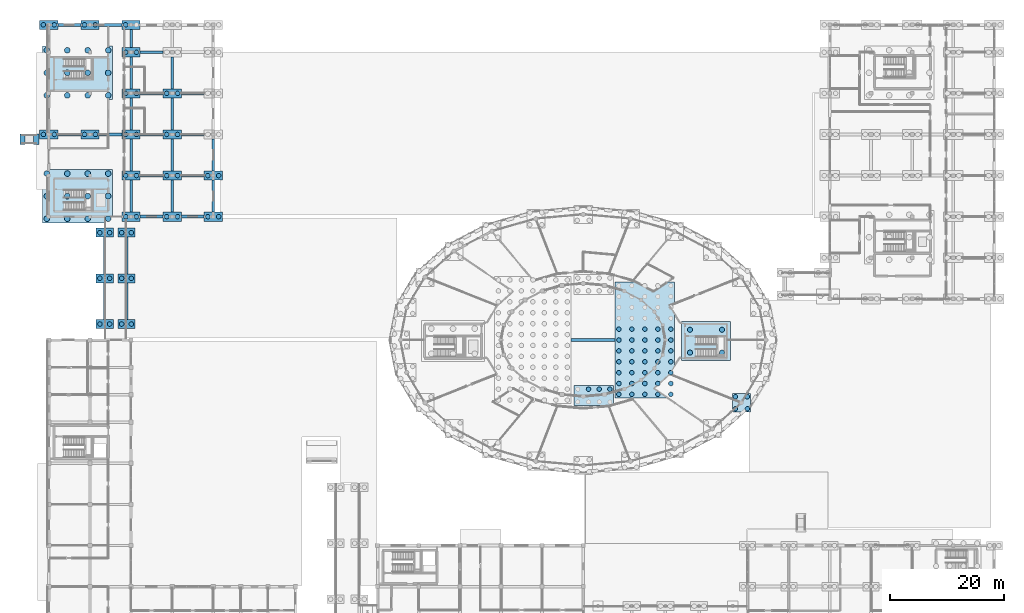
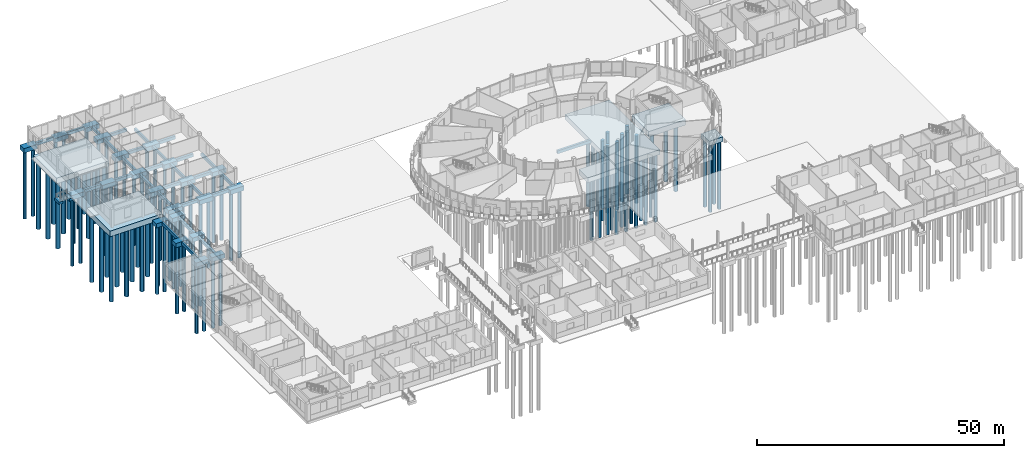
# One storey, part 2 of 98: 113 piles, 59 footings.
"""IFC4 building model written with IfcOpenShell, lengths in metres."""

from ifc_helpers import new_model, si_unit, direction, frame, origin, origin_2d, place, context, subcontext, project, spatial, rectangle, circle, extrude, material, material_profile, profile_set, type_object, element, save


model = new_model("IFC4")

# Units and contexts
model_context = context("Model", 3, precision=1e-05, world=origin(), true_north=direction((0.0, 1.0)))
body_context = subcontext(model_context, "Body", "Model", "MODEL_VIEW")
ifc_project = project(units=[si_unit("LENGTHUNIT", "METRE"), si_unit("AREAUNIT", "SQUARE_METRE"), si_unit("VOLUMEUNIT", "CUBIC_METRE"), si_unit("PLANEANGLEUNIT", "RADIAN"), si_unit("MASSUNIT", "GRAM", prefix="KILO")], contexts=[model_context])

# Site, building, storey
site_placement = place(None, origin())
site = spatial("IfcSite", under=ifc_project, at=site_placement, CompositionType="ELEMENT")
building_placement = place(site_placement, origin())
building = spatial("IfcBuilding", under=site, at=building_placement, Name="Zornivar Specialist Clinic", CompositionType="ELEMENT")
storey_placement = place(building_placement, origin())
storey = spatial("IfcBuildingStorey", under=building, at=storey_placement, Name="L00", CompositionType="ELEMENT", Elevation=0.0)

# Footings
ifc_material_1 = material(Name="Concrete C30/37", Category="concrete")
ifc_material_profile_1 = material_profile(ifc_material_1, rectangle(XDim=0.449951171875, YDim=0.699951171875, at=origin_2d()), Name="RC 450x700")
ifc_profile_set_1 = profile_set([ifc_material_profile_1], Name="Concrete C30/37")
footing_type_1 = type_object("IfcFootingType", Name="FTG-GB-450x700", PredefinedType="FOOTING_BEAM", material=ifc_profile_set_1)
for number, where, z_axis, x_axis, name in (
    (1, (9.800048828125, 61.175048828125, -0.699951171875), (0.0, 1.0, 0.0), (-1.0, 0.0, 0.0), "gb:L00:y:98:612"),
    (2, (9.800048828125, 69.175048828125, -0.699951171875), (0.0, 1.0, 0.0), (-1.0, 0.0, 0.0), "gb:L00:y:98:692"),
    (3, (13.60009765625, 61.175048828125, -0.699951171875), (0.0, 1.0, 0.0), (-1.0, 0.0, 0.0), "gb:L00:y:136:612"),
    (4, (13.60009765625, 69.175048828125, -0.699951171875), (0.0, 1.0, 0.0), (-1.0, 0.0, 0.0), "gb:L00:y:136:692"),
):
    element("IfcFooting", number, at=place(storey_placement, frame(where, z_axis=z_axis, x_axis=x_axis)), inside=storey, type_object=footing_type_1, Name=name, PredefinedType="FOOTING_BEAM", context=body_context, shape_type="SweptSolid", body=[
        extrude(rectangle(XDim=0.449951171875, YDim=0.699951171875, at=origin_2d()), origin(), (0.0, 0.0, 1.0), 6.449951171875),
    ])
for number, where, z_axis, x_axis, name in (
    (5, (14.39990234375, 80.0, -0.72998046875), (0.0, 1.0, 0.0), (-1.0, 0.0, 0.0), "gb:L00:y:144:800"),
    (6, (14.39990234375, 87.199951171875, -0.72998046875), (0.0, 1.0, 0.0), (-1.0, 0.0, 0.0), "gb:L00:y:144:872"),
    (7, (14.39990234375, 94.39990234375, -0.72998046875), (0.0, 1.0, 0.0), (-1.0, 0.0, 0.0), "gb:L00:y:144:944"),
):
    element("IfcFooting", number, at=place(storey_placement, frame(where, z_axis=z_axis, x_axis=x_axis)), inside=storey, type_object=footing_type_1, Name=name, PredefinedType="FOOTING_BEAM", context=body_context, shape_type="SweptSolid", body=[
        extrude(rectangle(XDim=0.449951171875, YDim=0.699951171875, at=origin_2d()), origin(), (0.0, 0.0, 1.0), 5.60009765625),
    ])
footing_1_placement = place(storey_placement, frame((14.39990234375, 101.60009765625, -0.72998046875), z_axis=(0.0, 1.0, 0.0), x_axis=(-1.0, 0.0, 0.0)))
element("IfcFooting", 8, at=footing_1_placement, inside=storey, type_object=footing_type_1, Name="gb:L00:y:144:1016", PredefinedType="FOOTING_BEAM", context=body_context, shape_type="SweptSolid", body=[
    extrude(rectangle(XDim=0.449951171875, YDim=0.699951171875, at=origin_2d()), origin(), (0.0, 0.0, 1.0), 5.599853515625),
])
footing_2_placement = place(storey_placement, frame((14.39990234375, 108.800048828125, -0.72998046875), z_axis=(0.0, 1.0, 0.0), x_axis=(-1.0, 0.0, 0.0)))
element("IfcFooting", 9, at=footing_2_placement, inside=storey, type_object=footing_type_1, Name="gb:L00:y:144:1088", PredefinedType="FOOTING_BEAM", context=body_context, shape_type="SweptSolid", body=[
    extrude(rectangle(XDim=0.449951171875, YDim=0.699951171875, at=origin_2d()), origin(), (0.0, 0.0, 1.0), 3.199951171875),
])
for number, where, z_axis, x_axis, name in (
    (10, (21.60009765625, 80.0, -0.72998046875), (0.0, 1.0, 0.0), (-1.0, 0.0, 0.0), "gb:L00:y:216:800"),
    (11, (21.60009765625, 87.199951171875, -0.72998046875), (0.0, 1.0, 0.0), (-1.0, 0.0, 0.0), "gb:L00:y:216:872"),
    (12, (21.60009765625, 94.39990234375, -0.72998046875), (0.0, 1.0, 0.0), (-1.0, 0.0, 0.0), "gb:L00:y:216:944"),
):
    element("IfcFooting", number, at=place(storey_placement, frame(where, z_axis=z_axis, x_axis=x_axis)), inside=storey, type_object=footing_type_1, Name=name, PredefinedType="FOOTING_BEAM", context=body_context, shape_type="SweptSolid", body=[
        extrude(rectangle(XDim=0.449951171875, YDim=0.699951171875, at=origin_2d()), origin(), (0.0, 0.0, 1.0), 5.60009765625),
    ])
footing_3_placement = place(storey_placement, frame((21.60009765625, 101.60009765625, -0.72998046875), z_axis=(0.0, 1.0, 0.0), x_axis=(-1.0, 0.0, 0.0)))
element("IfcFooting", 13, at=footing_3_placement, inside=storey, type_object=footing_type_1, Name="gb:L00:y:216:1016", PredefinedType="FOOTING_BEAM", context=body_context, shape_type="SweptSolid", body=[
    extrude(rectangle(XDim=0.449951171875, YDim=0.699951171875, at=origin_2d()), origin(), (0.0, 0.0, 1.0), 5.599853515625),
])
for number, where, z_axis, x_axis, name in (
    (14, (28.800048828125, 80.0, -0.72998046875), (0.0, 1.0, 0.0), (-1.0, 0.0, 0.0), "gb:L00:y:288:800"),
    (15, (28.800048828125, 87.199951171875, -0.72998046875), (0.0, 1.0, 0.0), (-1.0, 0.0, 0.0), "gb:L00:y:288:872"),
):
    element("IfcFooting", number, at=place(storey_placement, frame(where, z_axis=z_axis, x_axis=x_axis)), inside=storey, type_object=footing_type_1, Name=name, PredefinedType="FOOTING_BEAM", context=body_context, shape_type="SweptSolid", body=[
        extrude(rectangle(XDim=0.449951171875, YDim=0.699951171875, at=origin_2d()), origin(), (0.0, 0.0, 1.0), 5.60009765625),
    ])
ifc_material_2 = material(Name="Concrete C30/37", Category="concrete")
ifc_material_profile_2 = material_profile(ifc_material_2, rectangle(XDim=0.5, YDim=0.75, at=origin_2d()), Name="RC 500x750")
ifc_profile_set_2 = profile_set([ifc_material_profile_2], Name="Concrete C30/37")
footing_type_2 = type_object("IfcFootingType", Name="FTG-GB-500x750", PredefinedType="FOOTING_BEAM", material=ifc_profile_set_2)
footing_4_placement = place(storey_placement, frame((91.471923828125, 57.60009765625, -0.7548828125), z_axis=(1.0, 0.0, 0.0), x_axis=(0.0, 1.0, 0.0)))
element("IfcFooting", 16, at=footing_4_placement, inside=storey, type_object=footing_type_2, Name="gb:L00:x:576:915", PredefinedType="FOOTING_BEAM", context=body_context, shape_type="SweptSolid", body=[
    extrude(rectangle(XDim=0.5, YDim=0.75, at=origin_2d()), origin(), (0.0, 0.0, 1.0), 7.72802734375),
])
ifc_material_3 = material(Name="Concrete C30/37", Category="concrete")
ifc_material_profile_3 = material_profile(ifc_material_3, rectangle(XDim=0.52001953125, YDim=0.75, at=origin_2d()), Name="RC 520x750")
ifc_profile_set_3 = profile_set([ifc_material_profile_3], Name="Concrete C30/37")
footing_type_3 = type_object("IfcFootingType", Name="FTG-GB-520x750", PredefinedType="FOOTING_BEAM", material=ifc_profile_set_3)
for number, where, z_axis, x_axis, name in (
    (17, (16.0, 79.199951171875, -0.7548828125), (1.0, 0.0, 0.0), (0.0, 1.0, 0.0), "gb:L00:x:792:160"),
    (18, (23.199951171875, 79.199951171875, -0.7548828125), (1.0, 0.0, 0.0), (0.0, 1.0, 0.0), "gb:L00:x:792:232"),
    (19, (16.0, 86.39990234375, -0.7548828125), (1.0, 0.0, 0.0), (0.0, 1.0, 0.0), "gb:L00:x:864:160"),
    (20, (23.199951171875, 86.39990234375, -0.7548828125), (1.0, 0.0, 0.0), (0.0, 1.0, 0.0), "gb:L00:x:864:232"),
    (21, (1.60009765625, 93.60009765625, -0.7548828125), (1.0, 0.0, 0.0), (0.0, 1.0, 0.0), "gb:L00:x:936:16"),
    (22, (8.800048828125, 93.60009765625, -0.7548828125), (1.0, 0.0, 0.0), (0.0, 1.0, 0.0), "gb:L00:x:936:88"),
    (23, (16.0, 93.60009765625, -0.7548828125), (1.0, 0.0, 0.0), (0.0, 1.0, 0.0), "gb:L00:x:936:160"),
    (24, (23.199951171875, 93.60009765625, -0.7548828125), (1.0, 0.0, 0.0), (0.0, 1.0, 0.0), "gb:L00:x:936:232"),
    (25, (16.0, 100.800048828125, -0.7548828125), (1.0, 0.0, 0.0), (0.0, 1.0, 0.0), "gb:L00:x:1008:160"),
    (26, (23.199951171875, 100.800048828125, -0.7548828125), (1.0, 0.0, 0.0), (0.0, 1.0, 0.0), "gb:L00:x:1008:232"),
    (27, (16.0, 108.0, -0.7548828125), (1.0, 0.0, 0.0), (0.0, 1.0, 0.0), "gb:L00:x:1080:160"),
    (28, (1.60009765625, 112.800048828125, -0.7548828125), (1.0, 0.0, 0.0), (0.0, 1.0, 0.0), "gb:L00:x:1128:16"),
    (29, (8.800048828125, 112.800048828125, -0.7548828125), (1.0, 0.0, 0.0), (0.0, 1.0, 0.0), "gb:L00:x:1128:88"),
):
    element("IfcFooting", number, at=place(storey_placement, frame(where, z_axis=z_axis, x_axis=x_axis)), inside=storey, type_object=footing_type_3, Name=name, PredefinedType="FOOTING_BEAM", context=body_context, shape_type="SweptSolid", body=[
        extrude(rectangle(XDim=0.52001953125, YDim=0.75, at=origin_2d()), origin(), (0.0, 0.0, 1.0), 4.0),
    ])
ifc_material_4 = material(Name="Concrete C30/37", Category="concrete")
footing_type_4 = type_object("IfcFootingType", Name="FTG-PC-2P-300x155x105", PredefinedType="PILE_CAP", material=ifc_material_4)
for number, where, z_axis, x_axis, name in (
    (30, (9.800048828125, 60.39990234375, -1.39990234375), (0.0, 0.0, 1.0), (1.0, 0.0, 0.0), "ftg:BR2:9800_60400"),
    (31, (9.800048828125, 68.39990234375, -1.39990234375), (0.0, 0.0, 1.0), (1.0, 0.0, 0.0), "ftg:BR2:9800_68400"),
    (32, (9.800048828125, 76.39990234375, -1.39990234375), (0.0, 0.0, 1.0), (1.0, 0.0, 0.0), "ftg:BR2:9800_76400"),
    (33, (13.60009765625, 60.39990234375, -1.39990234375), (0.0, 0.0, 1.0), (1.0, 0.0, 0.0), "ftg:BR2:13600_60400"),
    (34, (13.60009765625, 68.39990234375, -1.39990234375), (0.0, 0.0, 1.0), (1.0, 0.0, 0.0), "ftg:BR2:13600_68400"),
    (35, (13.60009765625, 76.39990234375, -1.39990234375), (0.0, 0.0, 1.0), (1.0, 0.0, 0.0), "ftg:BR2:13600_76400"),
):
    element("IfcFooting", number, at=place(storey_placement, frame(where, z_axis=z_axis, x_axis=x_axis)), inside=storey, type_object=footing_type_4, Name=name, PredefinedType="PILE_CAP", context=body_context, shape_type="SweptSolid", body=[
        extrude(rectangle(XDim=3.0, YDim=1.550048828125, at=origin_2d()), origin(), (0.0, 0.0, 1.0), 1.050048828125),
    ])
ifc_material_5 = material(Name="Concrete C30/37", Category="concrete")
footing_type_5 = type_object("IfcFootingType", Name="FTG-PC-2P-320x160x110", PredefinedType="PILE_CAP", material=ifc_material_5)
for number, where, z_axis, x_axis, name in (
    (36, (0.0, 93.60009765625, -1.47998046875), (0.0, 0.0, 1.0), (1.0, 0.0, 0.0), "ftg:V5:0_93600"),
    (37, (0.0, 112.800048828125, -1.47998046875), (0.0, 0.0, 1.0), (1.0, 0.0, 0.0), "ftg:V5:0_112800"),
    (38, (7.199951171875, 93.60009765625, -1.47998046875), (0.0, 0.0, 1.0), (1.0, 0.0, 0.0), "ftg:V5:7200_93600"),
    (39, (7.199951171875, 112.800048828125, -1.47998046875), (0.0, 0.0, 1.0), (1.0, 0.0, 0.0), "ftg:V5:7200_112800"),
    (40, (14.39990234375, 79.199951171875, -1.47998046875), (0.0, 0.0, 1.0), (1.0, 0.0, 0.0), "ftg:V5:14400_79200"),
    (41, (14.39990234375, 86.39990234375, -1.47998046875), (0.0, 0.0, 1.0), (1.0, 0.0, 0.0), "ftg:V5:14400_86400"),
    (42, (14.39990234375, 93.60009765625, -1.47998046875), (0.0, 0.0, 1.0), (1.0, 0.0, 0.0), "ftg:V5:14400_93600"),
    (43, (14.39990234375, 100.800048828125, -1.47998046875), (0.0, 0.0, 1.0), (1.0, 0.0, 0.0), "ftg:V5:14400_100800"),
    (44, (14.39990234375, 108.0, -1.47998046875), (0.0, 0.0, 1.0), (1.0, 0.0, 0.0), "ftg:V5:14400_108000"),
    (45, (14.39990234375, 112.800048828125, -1.47998046875), (0.0, 0.0, 1.0), (1.0, 0.0, 0.0), "ftg:V5:14400_112800"),
    (46, (21.60009765625, 79.199951171875, -1.47998046875), (0.0, 0.0, 1.0), (1.0, 0.0, 0.0), "ftg:V5:21600_79200"),
    (47, (21.60009765625, 86.39990234375, -1.47998046875), (0.0, 0.0, 1.0), (1.0, 0.0, 0.0), "ftg:V5:21600_86400"),
    (48, (21.60009765625, 93.60009765625, -1.47998046875), (0.0, 0.0, 1.0), (1.0, 0.0, 0.0), "ftg:V5:21600_93600"),
    (49, (21.60009765625, 100.800048828125, -1.47998046875), (0.0, 0.0, 1.0), (1.0, 0.0, 0.0), "ftg:V5:21600_100800"),
    (50, (28.800048828125, 79.199951171875, -1.47998046875), (0.0, 0.0, 1.0), (1.0, 0.0, 0.0), "ftg:V5:28800_79200"),
    (51, (28.800048828125, 86.39990234375, -1.47998046875), (0.0, 0.0, 1.0), (1.0, 0.0, 0.0), "ftg:V5:28800_86400"),
):
    element("IfcFooting", number, at=place(storey_placement, frame(where, z_axis=z_axis, x_axis=x_axis)), inside=storey, type_object=footing_type_5, Name=name, PredefinedType="PILE_CAP", context=body_context, shape_type="SweptSolid", body=[
        extrude(rectangle(XDim=3.199951171875, YDim=1.60009765625, at=origin_2d()), origin(), (0.0, 0.0, 1.0), 1.10009765625),
    ])
ifc_material_6 = material(Name="Concrete C30/37", Category="concrete")
footing_type_6 = type_object("IfcFootingType", Name="FTG-PC-4P-320x320x120", PredefinedType="PILE_CAP", material=ifc_material_6)
footing_5_placement = place(storey_placement, frame((121.31298828125, 46.60009765625, -1.580078125), z_axis=(0.0, 0.0, 1.0), x_axis=(1.0, 0.0, 0.0)))
element("IfcFooting", 52, at=footing_5_placement, inside=storey, type_object=footing_type_6, Name="ftg:V1:121313_46600", PredefinedType="PILE_CAP", context=body_context, shape_type="SweptSolid", body=[
    extrude(rectangle(XDim=3.199951171875, YDim=3.199951171875, at=origin_2d()), origin(), (0.0, 0.0, 1.0), 1.199951171875),
])
ifc_material_7 = material(Name="Concrete C30/37", Category="concrete")
footing_type_7 = type_object("IfcFootingType", Name="FTG-PC-COMB-1040x2035x120", PredefinedType="PILE_CAP", material=ifc_material_7)
footing_6_placement = place(storey_placement, frame((104.39990234375, 57.60009765625, -1.580078125), z_axis=(0.0, 0.0, 1.0), x_axis=(1.0, 0.0, 0.0)))
element("IfcFooting", 53, at=footing_6_placement, inside=storey, type_object=footing_type_7, Name="ftg:V1:108000_57600", PredefinedType="PILE_CAP", context=body_context, shape_type="SweptSolid", body=[
    extrude(rectangle(XDim=10.39990234375, YDim=20.347900390625, at=origin_2d()), origin(), (0.0, 0.0, 1.0), 1.199951171875),
])
ifc_material_8 = material(Name="Concrete C30/37", Category="concrete")
footing_type_8 = type_object("IfcFootingType", Name="FTG-PC-COMB-1225x940x140", PredefinedType="PILE_CAP", material=ifc_material_8)
for number, where, z_axis, x_axis, name in (
    (54, (5.02490234375, 82.800048828125, -1.75), (0.0, 0.0, 1.0), (1.0, 0.0, 0.0), "ftg:core:C7"),
    (55, (5.02490234375, 104.39990234375, -1.75), (0.0, 0.0, 1.0), (1.0, 0.0, 0.0), "ftg:core:C8"),
):
    element("IfcFooting", number, at=place(storey_placement, frame(where, z_axis=z_axis, x_axis=x_axis)), inside=storey, type_object=footing_type_8, Name=name, PredefinedType="PILE_CAP", context=body_context, shape_type="SweptSolid", body=[
        extrude(rectangle(XDim=12.25, YDim=9.39990234375, at=origin_2d()), origin(), (0.0, 0.0, 1.0), 1.39990234375),
    ])
ifc_material_9 = material(Name="Concrete C30/37", Category="concrete")
footing_type_9 = type_object("IfcFootingType", Name="FTG-PC-COMB-693x354x120", PredefinedType="PILE_CAP", material=ifc_material_9)
footing_7_placement = place(storey_placement, frame((95.464111328125, 47.867919921875, -1.580078125), z_axis=(0.0, 0.0, 1.0), x_axis=(1.0, 0.0, 0.0)))
element("IfcFooting", 56, at=footing_7_placement, inside=storey, type_object=footing_type_9, Name="ftg:V1:93600_47700", PredefinedType="PILE_CAP", context=body_context, shape_type="SweptSolid", body=[
    extrude(rectangle(XDim=6.927001953125, YDim=3.537109375, at=origin_2d()), origin(), (0.0, 0.0, 1.0), 1.199951171875),
])
ifc_material_10 = material(Name="Concrete C30/37", Category="concrete")
footing_type_10 = type_object("IfcFootingType", Name="FTG-PC-CORE-860x680x135", PredefinedType="PILE_CAP", material=ifc_material_10)
footing_8_placement = place(storey_placement, frame((115.10009765625, 57.39990234375, -1.699951171875), z_axis=(0.0, 0.0, 1.0), x_axis=(1.0, 0.0, 0.0)))
element("IfcFooting", 57, at=footing_8_placement, inside=storey, type_object=footing_type_10, Name="ftg:core:C4", PredefinedType="PILE_CAP", context=body_context, shape_type="SweptSolid", body=[
    extrude(rectangle(XDim=8.60009765625, YDim=6.800048828125, at=origin_2d()), origin(), (0.0, 0.0, 1.0), 1.35009765625),
])
ifc_material_11 = material(Name="Concrete C30/37", Category="concrete")
ifc_material_profile_4 = material_profile(ifc_material_11, rectangle(XDim=0.89990234375, YDim=0.60009765625, at=origin_2d()), Name="RC 900x600")
ifc_profile_set_4 = profile_set([ifc_material_profile_4], Name="Concrete C30/37")
footing_type_11 = type_object("IfcFootingType", Name="FTG-STRIP-900x600", PredefinedType="STRIP_FOOTING", material=ifc_profile_set_4)
for number, where, z_axis, x_axis, name in (
    (58, (-4.60009765625, 91.85009765625, -0.47998046875), (0.0, 1.0, 0.0), (-1.0, 0.0, 0.0), "ftg:ramp:ped:L00:PR4:lo"),
    (59, (-2.199951171875, 91.85009765625, -0.4990234375), (0.0, 1.0, 0.0), (-1.0, 0.0, 0.0), "ftg:ramp:ped:L00:PR4:hi"),
):
    element("IfcFooting", number, at=place(storey_placement, frame(where, z_axis=z_axis, x_axis=x_axis)), inside=storey, type_object=footing_type_11, Name=name, PredefinedType="STRIP_FOOTING", context=body_context, shape_type="SweptSolid", body=[
        extrude(rectangle(XDim=0.89990234375, YDim=0.60009765625, at=origin_2d()), origin(), (0.0, 0.0, 1.0), 1.7998046875),
    ])

# Piles
ifc_material_12 = material(Name="Concrete C30/37", Category="concrete")
ifc_material_profile_5 = material_profile(ifc_material_12, circle(Radius=0.5, at=origin_2d()), Name="PILE D1000")
ifc_profile_set_5 = profile_set([ifc_material_profile_5], Name="Concrete C30/37")
pile_type_1 = type_object("IfcPileType", Name="PILE-BORED-1000", PredefinedType="BORED", material=ifc_profile_set_5)
for number, where, z_axis, x_axis, name in (
    (60, (-0.35009765625, 78.85009765625, -1.64990234375), (0.0, 0.0, -1.0), (1.0, 0.0, 0.0), "pile:ftg:core:C7:0"),
    (61, (-0.35009765625, 82.800048828125, -1.64990234375), (0.0, 0.0, -1.0), (1.0, 0.0, 0.0), "pile:ftg:core:C7:1"),
    (62, (-0.35009765625, 86.75, -1.64990234375), (0.0, 0.0, -1.0), (1.0, 0.0, 0.0), "pile:ftg:core:C7:2"),
    (63, (3.23291015625, 78.85009765625, -1.64990234375), (0.0, 0.0, -1.0), (1.0, 0.0, 0.0), "pile:ftg:core:C7:3"),
    (64, (3.23291015625, 82.800048828125, -1.64990234375), (0.0, 0.0, -1.0), (1.0, 0.0, 0.0), "pile:ftg:core:C7:4"),
    (65, (3.23291015625, 86.75, -1.64990234375), (0.0, 0.0, -1.0), (1.0, 0.0, 0.0), "pile:ftg:core:C7:5"),
    (66, (6.81689453125, 78.85009765625, -1.64990234375), (0.0, 0.0, -1.0), (1.0, 0.0, 0.0), "pile:ftg:core:C7:6"),
    (67, (6.81689453125, 82.800048828125, -1.64990234375), (0.0, 0.0, -1.0), (1.0, 0.0, 0.0), "pile:ftg:core:C7:7"),
    (68, (6.81689453125, 86.75, -1.64990234375), (0.0, 0.0, -1.0), (1.0, 0.0, 0.0), "pile:ftg:core:C7:8"),
    (69, (10.39990234375, 78.85009765625, -1.64990234375), (0.0, 0.0, -1.0), (1.0, 0.0, 0.0), "pile:ftg:core:C7:9"),
    (70, (10.39990234375, 82.800048828125, -1.64990234375), (0.0, 0.0, -1.0), (1.0, 0.0, 0.0), "pile:ftg:core:C7:10"),
    (71, (10.39990234375, 86.75, -1.64990234375), (0.0, 0.0, -1.0), (1.0, 0.0, 0.0), "pile:ftg:core:C7:11"),
    (72, (-0.35009765625, 100.449951171875, -1.64990234375), (0.0, 0.0, -1.0), (1.0, 0.0, 0.0), "pile:ftg:core:C8:0"),
    (73, (-0.35009765625, 104.39990234375, -1.64990234375), (0.0, 0.0, -1.0), (1.0, 0.0, 0.0), "pile:ftg:core:C8:1"),
    (74, (-0.35009765625, 108.35009765625, -1.64990234375), (0.0, 0.0, -1.0), (1.0, 0.0, 0.0), "pile:ftg:core:C8:2"),
    (75, (3.23291015625, 100.449951171875, -1.64990234375), (0.0, 0.0, -1.0), (1.0, 0.0, 0.0), "pile:ftg:core:C8:3"),
    (76, (3.23291015625, 104.39990234375, -1.64990234375), (0.0, 0.0, -1.0), (1.0, 0.0, 0.0), "pile:ftg:core:C8:4"),
    (77, (3.23291015625, 108.35009765625, -1.64990234375), (0.0, 0.0, -1.0), (1.0, 0.0, 0.0), "pile:ftg:core:C8:5"),
    (78, (6.81689453125, 100.449951171875, -1.64990234375), (0.0, 0.0, -1.0), (1.0, 0.0, 0.0), "pile:ftg:core:C8:6"),
    (79, (6.81689453125, 104.39990234375, -1.64990234375), (0.0, 0.0, -1.0), (1.0, 0.0, 0.0), "pile:ftg:core:C8:7"),
    (80, (6.81689453125, 108.35009765625, -1.64990234375), (0.0, 0.0, -1.0), (1.0, 0.0, 0.0), "pile:ftg:core:C8:8"),
    (81, (10.39990234375, 100.449951171875, -1.64990234375), (0.0, 0.0, -1.0), (1.0, 0.0, 0.0), "pile:ftg:core:C8:9"),
    (82, (10.39990234375, 104.39990234375, -1.64990234375), (0.0, 0.0, -1.0), (1.0, 0.0, 0.0), "pile:ftg:core:C8:10"),
    (83, (10.39990234375, 108.35009765625, -1.64990234375), (0.0, 0.0, -1.0), (1.0, 0.0, 0.0), "pile:ftg:core:C8:11"),
):
    element("IfcPile", number, at=place(storey_placement, frame(where, z_axis=z_axis, x_axis=x_axis)), inside=storey, type_object=pile_type_1, Name=name, PredefinedType="BORED", context=body_context, shape_type="SweptSolid", body=[
        extrude(circle(Radius=0.5, at=origin_2d()), origin(), (0.0, 0.0, 1.0), 16.550048828125),
    ])
ifc_material_13 = material(Name="Concrete C30/37", Category="concrete")
ifc_material_profile_6 = material_profile(ifc_material_13, circle(Radius=0.39990234375, at=origin_2d()), Name="PILE D800")
ifc_profile_set_6 = profile_set([ifc_material_profile_6], Name="Concrete C30/37")
pile_type_2 = type_object("IfcPileType", Name="PILE-BORED-800", PredefinedType="BORED", material=ifc_profile_set_6)
for number, where, z_axis, x_axis, name in (
    (84, (-0.949951171875, 93.60009765625, -1.3798828125), (0.0, 0.0, -1.0), (1.0, 0.0, 0.0), "pile:ftg:V5:0_93600:0"),
    (85, (0.949951171875, 93.60009765625, -1.3798828125), (0.0, 0.0, -1.0), (1.0, 0.0, 0.0), "pile:ftg:V5:0_93600:1"),
    (86, (-0.949951171875, 112.800048828125, -1.3798828125), (0.0, 0.0, -1.0), (1.0, 0.0, 0.0), "pile:ftg:V5:0_112800:0"),
    (87, (0.949951171875, 112.800048828125, -1.3798828125), (0.0, 0.0, -1.0), (1.0, 0.0, 0.0), "pile:ftg:V5:0_112800:1"),
    (88, (6.25, 93.60009765625, -1.3798828125), (0.0, 0.0, -1.0), (1.0, 0.0, 0.0), "pile:ftg:V5:7200_93600:0"),
    (89, (8.14990234375, 93.60009765625, -1.3798828125), (0.0, 0.0, -1.0), (1.0, 0.0, 0.0), "pile:ftg:V5:7200_93600:1"),
    (90, (6.25, 112.800048828125, -1.3798828125), (0.0, 0.0, -1.0), (1.0, 0.0, 0.0), "pile:ftg:V5:7200_112800:0"),
    (91, (8.14990234375, 112.800048828125, -1.3798828125), (0.0, 0.0, -1.0), (1.0, 0.0, 0.0), "pile:ftg:V5:7200_112800:1"),
    (92, (13.449951171875, 79.199951171875, -1.3798828125), (0.0, 0.0, -1.0), (1.0, 0.0, 0.0), "pile:ftg:V5:14400_79200:0"),
    (93, (15.35009765625, 79.199951171875, -1.3798828125), (0.0, 0.0, -1.0), (1.0, 0.0, 0.0), "pile:ftg:V5:14400_79200:1"),
    (94, (13.449951171875, 86.39990234375, -1.3798828125), (0.0, 0.0, -1.0), (1.0, 0.0, 0.0), "pile:ftg:V5:14400_86400:0"),
    (95, (15.35009765625, 86.39990234375, -1.3798828125), (0.0, 0.0, -1.0), (1.0, 0.0, 0.0), "pile:ftg:V5:14400_86400:1"),
    (96, (13.449951171875, 93.60009765625, -1.3798828125), (0.0, 0.0, -1.0), (1.0, 0.0, 0.0), "pile:ftg:V5:14400_93600:0"),
    (97, (15.35009765625, 93.60009765625, -1.3798828125), (0.0, 0.0, -1.0), (1.0, 0.0, 0.0), "pile:ftg:V5:14400_93600:1"),
    (98, (13.449951171875, 100.800048828125, -1.3798828125), (0.0, 0.0, -1.0), (1.0, 0.0, 0.0), "pile:ftg:V5:14400_100800:0"),
    (99, (15.35009765625, 100.800048828125, -1.3798828125), (0.0, 0.0, -1.0), (1.0, 0.0, 0.0), "pile:ftg:V5:14400_100800:1"),
    (100, (13.449951171875, 108.0, -1.3798828125), (0.0, 0.0, -1.0), (1.0, 0.0, 0.0), "pile:ftg:V5:14400_108000:0"),
    (101, (15.35009765625, 108.0, -1.3798828125), (0.0, 0.0, -1.0), (1.0, 0.0, 0.0), "pile:ftg:V5:14400_108000:1"),
    (102, (13.449951171875, 112.800048828125, -1.3798828125), (0.0, 0.0, -1.0), (1.0, 0.0, 0.0), "pile:ftg:V5:14400_112800:0"),
    (103, (20.64990234375, 79.199951171875, -1.3798828125), (0.0, 0.0, -1.0), (1.0, 0.0, 0.0), "pile:ftg:V5:21600_79200:0"),
    (104, (22.550048828125, 79.199951171875, -1.3798828125), (0.0, 0.0, -1.0), (1.0, 0.0, 0.0), "pile:ftg:V5:21600_79200:1"),
    (105, (20.64990234375, 86.39990234375, -1.3798828125), (0.0, 0.0, -1.0), (1.0, 0.0, 0.0), "pile:ftg:V5:21600_86400:0"),
    (106, (22.550048828125, 86.39990234375, -1.3798828125), (0.0, 0.0, -1.0), (1.0, 0.0, 0.0), "pile:ftg:V5:21600_86400:1"),
    (107, (20.64990234375, 93.60009765625, -1.3798828125), (0.0, 0.0, -1.0), (1.0, 0.0, 0.0), "pile:ftg:V5:21600_93600:0"),
    (108, (22.550048828125, 93.60009765625, -1.3798828125), (0.0, 0.0, -1.0), (1.0, 0.0, 0.0), "pile:ftg:V5:21600_93600:1"),
    (109, (20.64990234375, 100.800048828125, -1.3798828125), (0.0, 0.0, -1.0), (1.0, 0.0, 0.0), "pile:ftg:V5:21600_100800:0"),
    (110, (22.550048828125, 100.800048828125, -1.3798828125), (0.0, 0.0, -1.0), (1.0, 0.0, 0.0), "pile:ftg:V5:21600_100800:1"),
    (111, (27.85009765625, 79.199951171875, -1.3798828125), (0.0, 0.0, -1.0), (1.0, 0.0, 0.0), "pile:ftg:V5:28800_79200:0"),
    (112, (29.75, 79.199951171875, -1.3798828125), (0.0, 0.0, -1.0), (1.0, 0.0, 0.0), "pile:ftg:V5:28800_79200:1"),
    (113, (27.85009765625, 86.39990234375, -1.3798828125), (0.0, 0.0, -1.0), (1.0, 0.0, 0.0), "pile:ftg:V5:28800_86400:0"),
    (114, (29.75, 86.39990234375, -1.3798828125), (0.0, 0.0, -1.0), (1.0, 0.0, 0.0), "pile:ftg:V5:28800_86400:1"),
):
    element("IfcPile", number, at=place(storey_placement, frame(where, z_axis=z_axis, x_axis=x_axis)), inside=storey, type_object=pile_type_2, Name=name, PredefinedType="BORED", context=body_context, shape_type="SweptSolid", body=[
        extrude(circle(Radius=0.39990234375, at=origin_2d()), origin(), (0.0, 0.0, 1.0), 16.820068359375),
    ])
for number, where, z_axis, x_axis, name in (
    (115, (99.85009765625, 48.075927734375, -1.47998046875), (0.0, 0.0, -1.0), (1.0, 0.0, 0.0), "pile:ftg:V1:108000_57600:0"),
    (116, (99.85009765625, 49.98095703125, -1.47998046875), (0.0, 0.0, -1.0), (1.0, 0.0, 0.0), "pile:ftg:V1:108000_57600:1"),
    (117, (99.85009765625, 51.885986328125, -1.47998046875), (0.0, 0.0, -1.0), (1.0, 0.0, 0.0), "pile:ftg:V1:108000_57600:2"),
    (118, (99.85009765625, 53.7900390625, -1.47998046875), (0.0, 0.0, -1.0), (1.0, 0.0, 0.0), "pile:ftg:V1:108000_57600:3"),
    (119, (99.85009765625, 55.695068359375, -1.47998046875), (0.0, 0.0, -1.0), (1.0, 0.0, 0.0), "pile:ftg:V1:108000_57600:4"),
    (120, (99.85009765625, 57.60009765625, -1.47998046875), (0.0, 0.0, -1.0), (1.0, 0.0, 0.0), "pile:ftg:V1:108000_57600:5"),
    (121, (99.85009765625, 59.5048828125, -1.47998046875), (0.0, 0.0, -1.0), (1.0, 0.0, 0.0), "pile:ftg:V1:108000_57600:6"),
    (122, (102.125, 48.075927734375, -1.47998046875), (0.0, 0.0, -1.0), (1.0, 0.0, 0.0), "pile:ftg:V1:108000_57600:11"),
    (123, (102.125, 49.98095703125, -1.47998046875), (0.0, 0.0, -1.0), (1.0, 0.0, 0.0), "pile:ftg:V1:108000_57600:12"),
    (124, (102.125, 51.885986328125, -1.47998046875), (0.0, 0.0, -1.0), (1.0, 0.0, 0.0), "pile:ftg:V1:108000_57600:13"),
    (125, (102.125, 53.7900390625, -1.47998046875), (0.0, 0.0, -1.0), (1.0, 0.0, 0.0), "pile:ftg:V1:108000_57600:14"),
    (126, (102.125, 55.695068359375, -1.47998046875), (0.0, 0.0, -1.0), (1.0, 0.0, 0.0), "pile:ftg:V1:108000_57600:15"),
    (127, (102.125, 57.60009765625, -1.47998046875), (0.0, 0.0, -1.0), (1.0, 0.0, 0.0), "pile:ftg:V1:108000_57600:16"),
    (128, (102.125, 59.5048828125, -1.47998046875), (0.0, 0.0, -1.0), (1.0, 0.0, 0.0), "pile:ftg:V1:108000_57600:17"),
    (129, (104.39990234375, 48.075927734375, -1.47998046875), (0.0, 0.0, -1.0), (1.0, 0.0, 0.0), "pile:ftg:V1:108000_57600:22"),
    (130, (104.39990234375, 49.98095703125, -1.47998046875), (0.0, 0.0, -1.0), (1.0, 0.0, 0.0), "pile:ftg:V1:108000_57600:23"),
    (131, (104.39990234375, 51.885986328125, -1.47998046875), (0.0, 0.0, -1.0), (1.0, 0.0, 0.0), "pile:ftg:V1:108000_57600:24"),
    (132, (104.39990234375, 53.7900390625, -1.47998046875), (0.0, 0.0, -1.0), (1.0, 0.0, 0.0), "pile:ftg:V1:108000_57600:25"),
    (133, (104.39990234375, 55.695068359375, -1.47998046875), (0.0, 0.0, -1.0), (1.0, 0.0, 0.0), "pile:ftg:V1:108000_57600:26"),
    (134, (104.39990234375, 57.60009765625, -1.47998046875), (0.0, 0.0, -1.0), (1.0, 0.0, 0.0), "pile:ftg:V1:108000_57600:27"),
    (135, (104.39990234375, 59.5048828125, -1.47998046875), (0.0, 0.0, -1.0), (1.0, 0.0, 0.0), "pile:ftg:V1:108000_57600:28"),
    (136, (106.675048828125, 48.075927734375, -1.47998046875), (0.0, 0.0, -1.0), (1.0, 0.0, 0.0), "pile:ftg:V1:108000_57600:33"),
    (137, (106.675048828125, 49.98095703125, -1.47998046875), (0.0, 0.0, -1.0), (1.0, 0.0, 0.0), "pile:ftg:V1:108000_57600:34"),
    (138, (106.675048828125, 51.885986328125, -1.47998046875), (0.0, 0.0, -1.0), (1.0, 0.0, 0.0), "pile:ftg:V1:108000_57600:35"),
    (139, (106.675048828125, 53.7900390625, -1.47998046875), (0.0, 0.0, -1.0), (1.0, 0.0, 0.0), "pile:ftg:V1:108000_57600:36"),
    (140, (106.675048828125, 55.695068359375, -1.47998046875), (0.0, 0.0, -1.0), (1.0, 0.0, 0.0), "pile:ftg:V1:108000_57600:37"),
    (141, (106.675048828125, 57.60009765625, -1.47998046875), (0.0, 0.0, -1.0), (1.0, 0.0, 0.0), "pile:ftg:V1:108000_57600:38"),
    (142, (106.675048828125, 59.5048828125, -1.47998046875), (0.0, 0.0, -1.0), (1.0, 0.0, 0.0), "pile:ftg:V1:108000_57600:39"),
    (143, (108.949951171875, 48.075927734375, -1.47998046875), (0.0, 0.0, -1.0), (1.0, 0.0, 0.0), "pile:ftg:V1:108000_57600:44"),
    (144, (108.949951171875, 49.98095703125, -1.47998046875), (0.0, 0.0, -1.0), (1.0, 0.0, 0.0), "pile:ftg:V1:108000_57600:45"),
    (145, (108.949951171875, 51.885986328125, -1.47998046875), (0.0, 0.0, -1.0), (1.0, 0.0, 0.0), "pile:ftg:V1:108000_57600:46"),
    (146, (108.949951171875, 53.7900390625, -1.47998046875), (0.0, 0.0, -1.0), (1.0, 0.0, 0.0), "pile:ftg:V1:108000_57600:47"),
    (147, (108.949951171875, 55.695068359375, -1.47998046875), (0.0, 0.0, -1.0), (1.0, 0.0, 0.0), "pile:ftg:V1:108000_57600:48"),
    (148, (108.949951171875, 57.60009765625, -1.47998046875), (0.0, 0.0, -1.0), (1.0, 0.0, 0.0), "pile:ftg:V1:108000_57600:49"),
    (149, (108.949951171875, 59.5048828125, -1.47998046875), (0.0, 0.0, -1.0), (1.0, 0.0, 0.0), "pile:ftg:V1:108000_57600:50"),
    (150, (94.52587890625, 48.987060546875, -1.47998046875), (0.0, 0.0, -1.0), (1.0, 0.0, 0.0), "pile:ftg:V1:93600_47700:3"),
    (151, (96.402099609375, 48.987060546875, -1.47998046875), (0.0, 0.0, -1.0), (1.0, 0.0, 0.0), "pile:ftg:V1:93600_47700:5"),
    (152, (98.277099609375, 48.987060546875, -1.47998046875), (0.0, 0.0, -1.0), (1.0, 0.0, 0.0), "pile:ftg:V1:93600_47700:7"),
    (153, (120.262939453125, 45.550048828125, -1.47998046875), (0.0, 0.0, -1.0), (1.0, 0.0, 0.0), "pile:ftg:V1:121313_46600:0"),
    (154, (122.363037109375, 45.550048828125, -1.47998046875), (0.0, 0.0, -1.0), (1.0, 0.0, 0.0), "pile:ftg:V1:121313_46600:1"),
    (155, (120.262939453125, 47.64990234375, -1.47998046875), (0.0, 0.0, -1.0), (1.0, 0.0, 0.0), "pile:ftg:V1:121313_46600:2"),
    (156, (122.363037109375, 47.64990234375, -1.47998046875), (0.0, 0.0, -1.0), (1.0, 0.0, 0.0), "pile:ftg:V1:121313_46600:3"),
):
    element("IfcPile", number, at=place(storey_placement, frame(where, z_axis=z_axis, x_axis=x_axis)), inside=storey, type_object=pile_type_2, Name=name, PredefinedType="BORED", context=body_context, shape_type="SweptSolid", body=[
        extrude(circle(Radius=0.39990234375, at=origin_2d()), origin(), (0.0, 0.0, 1.0), 16.719970703125),
    ])
for number, where, z_axis, x_axis, name in (
    (157, (8.949951171875, 60.39990234375, -1.300048828125), (0.0, 0.0, -1.0), (1.0, 0.0, 0.0), "pile:ftg:BR2:9800_60400:0"),
    (158, (10.64990234375, 60.39990234375, -1.300048828125), (0.0, 0.0, -1.0), (1.0, 0.0, 0.0), "pile:ftg:BR2:9800_60400:1"),
    (159, (8.949951171875, 68.39990234375, -1.300048828125), (0.0, 0.0, -1.0), (1.0, 0.0, 0.0), "pile:ftg:BR2:9800_68400:0"),
    (160, (10.64990234375, 68.39990234375, -1.300048828125), (0.0, 0.0, -1.0), (1.0, 0.0, 0.0), "pile:ftg:BR2:9800_68400:1"),
    (161, (8.949951171875, 76.39990234375, -1.300048828125), (0.0, 0.0, -1.0), (1.0, 0.0, 0.0), "pile:ftg:BR2:9800_76400:0"),
    (162, (10.64990234375, 76.39990234375, -1.300048828125), (0.0, 0.0, -1.0), (1.0, 0.0, 0.0), "pile:ftg:BR2:9800_76400:1"),
    (163, (12.75, 60.39990234375, -1.300048828125), (0.0, 0.0, -1.0), (1.0, 0.0, 0.0), "pile:ftg:BR2:13600_60400:0"),
    (164, (14.449951171875, 60.39990234375, -1.300048828125), (0.0, 0.0, -1.0), (1.0, 0.0, 0.0), "pile:ftg:BR2:13600_60400:1"),
    (165, (12.75, 68.39990234375, -1.300048828125), (0.0, 0.0, -1.0), (1.0, 0.0, 0.0), "pile:ftg:BR2:13600_68400:0"),
    (166, (14.449951171875, 68.39990234375, -1.300048828125), (0.0, 0.0, -1.0), (1.0, 0.0, 0.0), "pile:ftg:BR2:13600_68400:1"),
    (167, (12.75, 76.39990234375, -1.300048828125), (0.0, 0.0, -1.0), (1.0, 0.0, 0.0), "pile:ftg:BR2:13600_76400:0"),
    (168, (14.449951171875, 76.39990234375, -1.300048828125), (0.0, 0.0, -1.0), (1.0, 0.0, 0.0), "pile:ftg:BR2:13600_76400:1"),
):
    element("IfcPile", number, at=place(storey_placement, frame(where, z_axis=z_axis, x_axis=x_axis)), inside=storey, type_object=pile_type_2, Name=name, PredefinedType="BORED", context=body_context, shape_type="SweptSolid", body=[
        extrude(circle(Radius=0.39990234375, at=origin_2d()), origin(), (0.0, 0.0, 1.0), 16.89990234375),
    ])
ifc_material_14 = material(Name="Concrete C30/37", Category="concrete")
ifc_material_profile_7 = material_profile(ifc_material_14, circle(Radius=0.449951171875, at=origin_2d()), Name="PILE D900")
ifc_profile_set_7 = profile_set([ifc_material_profile_7], Name="Concrete C30/37")
pile_type_3 = type_object("IfcPileType", Name="PILE-BORED-900", PredefinedType="BORED", material=ifc_profile_set_7)
for number, where, z_axis, x_axis, name in (
    (169, (112.300048828125, 55.39990234375, -1.60009765625), (0.0, 0.0, -1.0), (1.0, 0.0, 0.0), "pile:ftg:core:C4:0"),
    (170, (117.89990234375, 55.39990234375, -1.60009765625), (0.0, 0.0, -1.0), (1.0, 0.0, 0.0), "pile:ftg:core:C4:1"),
    (171, (112.300048828125, 59.39990234375, -1.60009765625), (0.0, 0.0, -1.0), (1.0, 0.0, 0.0), "pile:ftg:core:C4:2"),
    (172, (117.89990234375, 59.39990234375, -1.60009765625), (0.0, 0.0, -1.0), (1.0, 0.0, 0.0), "pile:ftg:core:C4:3"),
):
    element("IfcPile", number, at=place(storey_placement, frame(where, z_axis=z_axis, x_axis=x_axis)), inside=storey, type_object=pile_type_3, Name=name, PredefinedType="BORED", context=body_context, shape_type="SweptSolid", body=[
        extrude(circle(Radius=0.449951171875, at=origin_2d()), origin(), (0.0, 0.0, 1.0), 16.60009765625),
    ])

save(model, "model.ifc")
